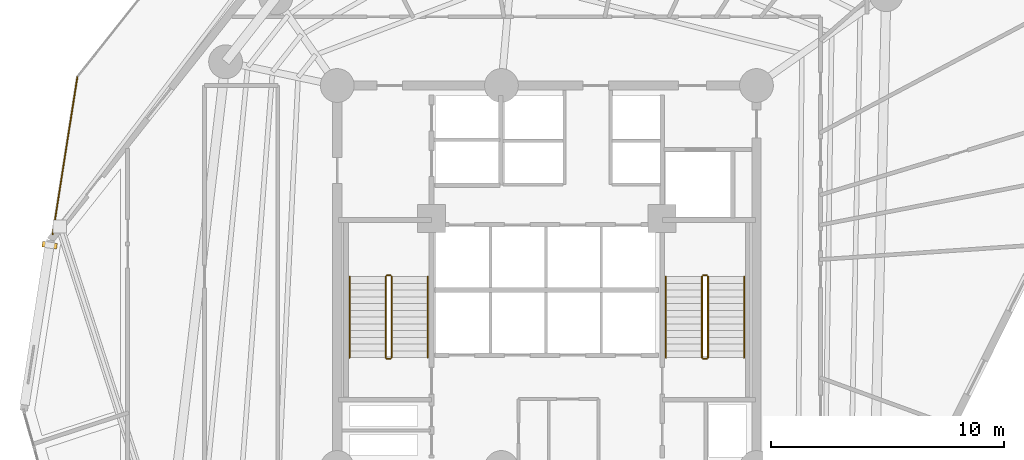
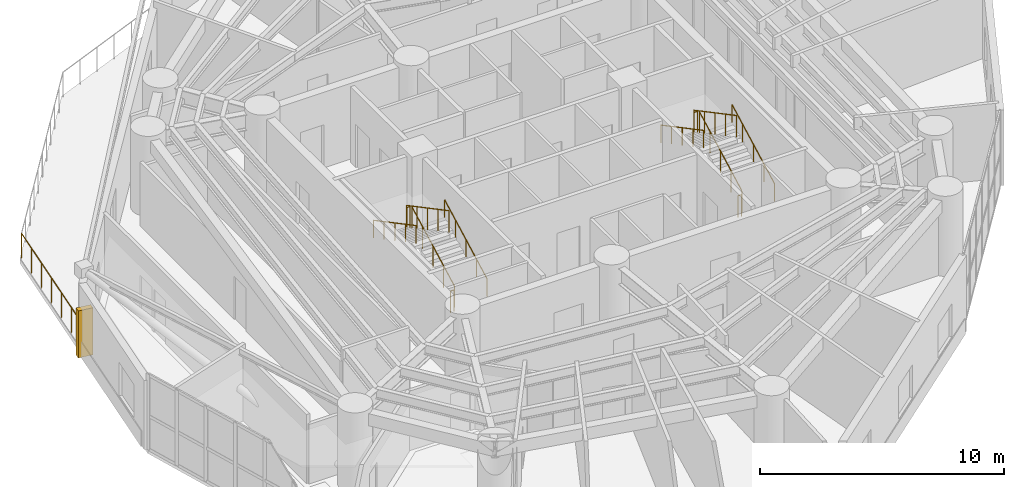
# One storey, part 13 of 14: 13 railings, 1 shading device.
"""IFC4 building model written with IfcOpenShell, lengths in metres."""

from ifc_helpers import new_model, si_unit, direction, frame, origin, origin_with_axes, origin_2d, place, context, subcontext, project, spatial, rectangle, circle, extrude, source, transform, mapped, material, layer, layer_set, type_object, element, save


model = new_model("IFC4")

# Units and contexts
model_context = context("Model", 3, precision=1e-05, world=origin(), true_north=direction((0.0, 1.0)))
body_context = subcontext(model_context, "Body", "Model", "MODEL_VIEW")
ifc_project = project(units=[si_unit("LENGTHUNIT", "METRE"), si_unit("AREAUNIT", "SQUARE_METRE"), si_unit("VOLUMEUNIT", "CUBIC_METRE"), si_unit("PLANEANGLEUNIT", "RADIAN"), si_unit("MASSUNIT", "GRAM", prefix="KILO")], contexts=[model_context])

# Site, building, storey
site_placement = place(None, origin())
site = spatial("IfcSite", under=ifc_project, at=site_placement, CompositionType="ELEMENT")
building_placement = place(site_placement, origin())
building = spatial("IfcBuilding", under=site, at=building_placement, Name="Karkom Vertical University and Central Library", CompositionType="ELEMENT")
storey_placement = place(building_placement, frame((0.0, 0.0, 92.199951171875)))
storey = spatial("IfcBuildingStorey", under=building, at=storey_placement, Name="L24", CompositionType="ELEMENT", Elevation=92.199951171875)

# Railings
ifc_material_1 = material(Name="Architectural painted steel & laminated glass balustrade", Category="steel")
ifc_layer_1 = layer(ifc_material_1, 0.090087890625)
ifc_layer_set_1 = layer_set([ifc_layer_1], Name="Architectural painted steel & laminated glass balustrade")
railing_type_1 = type_object("IfcRailingType", Name="ENV-RL-BAL1300", PredefinedType="BALUSTRADE", material=ifc_layer_set_1)
railing_1_placement = place(storey_placement, frame((7.287109375, 28.319091796875, 0.0)))
element("IfcRailing", 1, at=railing_1_placement, inside=storey, type_object=railing_type_1, Name="Level 24 Planted Terrace Safety Balustrade 03", PredefinedType="BALUSTRADE", context=body_context, shape_type="SweptSolid", body=[
    extrude(circle(Radius=0.02392578125, at=origin_2d()), frame((0.0, 0.0, 1.27587890625), z_axis=(0.154730304118, 0.987956746517, 0.0), x_axis=(-0.987956746517, 0.154730304118, 0.0)), (0.0, 0.0, 1.0), 6.827392578125),
    extrude(circle(Radius=0.02099609375, at=origin_2d()), origin(), (0.0, 0.0, 1.0), 1.251953125),
    extrude(circle(Radius=0.02099609375, at=origin_2d()), frame((0.176025390625, 1.124267578125, 0.0)), (0.0, 0.0, 1.0), 1.251953125),
    extrude(circle(Radius=0.02099609375, at=origin_2d()), frame((0.35205078125, 2.248291015625, 0.0)), (0.0, 0.0, 1.0), 1.251953125),
    extrude(circle(Radius=0.02099609375, at=origin_2d()), frame((0.5283203125, 3.37255859375, 0.0)), (0.0, 0.0, 1.0), 1.251953125),
    extrude(circle(Radius=0.02099609375, at=origin_2d()), frame((0.704345703125, 4.496826171875, 0.0)), (0.0, 0.0, 1.0), 1.251953125),
    extrude(circle(Radius=0.02099609375, at=origin_2d()), frame((0.88037109375, 5.620849609375, 0.0)), (0.0, 0.0, 1.0), 1.251953125),
    extrude(circle(Radius=0.02099609375, at=origin_2d()), frame((1.056396484375, 6.7451171875, 0.0)), (0.0, 0.0, 1.0), 1.251953125),
])
ifc_material_2 = material(Name="Painted galvanised steel balustrade", Category="steel")
ifc_layer_2 = layer(ifc_material_2, 0.06005859375)
ifc_layer_set_2 = layer_set([ifc_layer_2], Name="Painted galvanised steel balustrade")
railing_type_2 = type_object("IfcRailingType", Name="INT-RL-GUARD1100", PredefinedType="GUARDRAIL", material=ifc_layer_set_2)
railing_2_placement = place(storey_placement, frame((21.840087890625, 23.02001953125, 0.15380859375)))
element("IfcRailing", 2, at=railing_2_placement, inside=storey, type_object=railing_type_2, Name="Level 24 ST-1 stair guard 1", PredefinedType="GUARDRAIL", context=body_context, shape_type="SweptSolid", body=[
    extrude(circle(Radius=0.02392578125, at=origin_2d()), frame((0.0, 0.0, 1.076171875), z_axis=(0.0, 0.883383580571, 0.468650669025), x_axis=(-1.0, 0.0, 0.0)), (0.0, 0.0, 1.0), 3.939453125),
    extrude(circle(Radius=0.02099609375, at=origin_2d()), origin(), (0.0, 0.0, 1.0), 1.052001953125),
    extrude(circle(Radius=0.02099609375, at=origin_2d()), frame((0.0, 0.8701171875, 0.46142578125)), (0.0, 0.0, 1.0), 1.052001953125),
    extrude(circle(Radius=0.02099609375, at=origin_2d()), frame((0.0, 1.739990234375, 0.923095703125)), (0.0, 0.0, 1.0), 1.052001953125),
    extrude(circle(Radius=0.02099609375, at=origin_2d()), frame((0.0, 2.60986328125, 1.384765625)), (0.0, 0.0, 1.0), 1.052001953125),
    extrude(circle(Radius=0.02099609375, at=origin_2d()), frame((0.0, 3.47998046875, 1.84619140625)), (0.0, 0.0, 1.0), 1.052001953125),
])
railing_3_placement = place(storey_placement, frame((21.7900390625, 26.550048828125, 2.0)))
element("IfcRailing", 3, at=railing_3_placement, inside=storey, type_object=railing_type_2, Name="Level 24 ST-1 stair guard 2", PredefinedType="GUARDRAIL", context=body_context, shape_type="SweptSolid", body=[
    extrude(circle(Radius=0.02392578125, at=origin_2d()), frame((0.0, 0.0, 1.076171875), z_axis=(-1.0, 0.0, 0.0), x_axis=(0.0, -1.0, 0.0)), (0.0, 0.0, 1.0), 0.16015625),
    extrude(circle(Radius=0.02099609375, at=origin_2d()), origin(), (0.0, 0.0, 1.0), 1.052001953125),
    extrude(circle(Radius=0.02099609375, at=origin_2d()), frame((-0.16015625, 0.0, 0.0)), (0.0, 0.0, 1.0), 1.052001953125),
])
railing_4_placement = place(storey_placement, frame((21.580078125, 26.5, 2.15380859375)))
element("IfcRailing", 4, at=railing_4_placement, inside=storey, type_object=railing_type_2, Name="Level 24 ST-1 stair guard 3", PredefinedType="GUARDRAIL", context=body_context, shape_type="SweptSolid", body=[
    extrude(circle(Radius=0.02392578125, at=origin_2d()), frame((0.0, 0.0, 1.076171875), z_axis=(0.0, -0.883383580571, 0.468650669025), x_axis=(1.0, 0.0, 0.0)), (0.0, 0.0, 1.0), 3.939453125),
    extrude(circle(Radius=0.02099609375, at=origin_2d()), origin(), (0.0, 0.0, 1.0), 1.052001953125),
    extrude(circle(Radius=0.02099609375, at=origin_2d()), frame((0.0, -0.8701171875, 0.46142578125)), (0.0, 0.0, 1.0), 1.052001953125),
    extrude(circle(Radius=0.02099609375, at=origin_2d()), frame((0.0, -1.739990234375, 0.923095703125)), (0.0, 0.0, 1.0), 1.052001953125),
    extrude(circle(Radius=0.02099609375, at=origin_2d()), frame((0.0, -2.60986328125, 1.384765625)), (0.0, 0.0, 1.0), 1.052001953125),
    extrude(circle(Radius=0.02099609375, at=origin_2d()), frame((0.0, -3.47998046875, 1.84619140625)), (0.0, 0.0, 1.0), 1.052001953125),
])
railing_5_placement = place(storey_placement, frame((21.7900390625, 22.969970703125, 0.0)))
element("IfcRailing", 5, at=railing_5_placement, inside=storey, type_object=railing_type_2, Name="Level 24 ST-1 stair guard 4", PredefinedType="GUARDRAIL", context=body_context, shape_type="SweptSolid", body=[
    extrude(circle(Radius=0.02392578125, at=origin_2d()), frame((0.0, 0.0, 1.076171875), z_axis=(-1.0, 0.0, 0.0), x_axis=(0.0, -1.0, 0.0)), (0.0, 0.0, 1.0), 0.16015625),
    extrude(circle(Radius=0.02099609375, at=origin_2d()), origin(), (0.0, 0.0, 1.0), 1.052001953125),
    extrude(circle(Radius=0.02099609375, at=origin_2d()), frame((-0.16015625, 0.0, 0.0)), (0.0, 0.0, 1.0), 1.052001953125),
])
railing_6_placement = place(storey_placement, frame((35.419921875, 23.02001953125, 0.15380859375)))
element("IfcRailing", 6, at=railing_6_placement, inside=storey, type_object=railing_type_2, Name="Level 24 ST-2 stair guard 1", PredefinedType="GUARDRAIL", context=body_context, shape_type="SweptSolid", body=[
    extrude(circle(Radius=0.02392578125, at=origin_2d()), frame((0.0, 0.0, 1.076171875), z_axis=(0.0, 0.883383580571, 0.468650669025), x_axis=(-1.0, 0.0, 0.0)), (0.0, 0.0, 1.0), 3.939453125),
    extrude(circle(Radius=0.02099609375, at=origin_2d()), origin(), (0.0, 0.0, 1.0), 1.052001953125),
    extrude(circle(Radius=0.02099609375, at=origin_2d()), frame((0.0, 0.8701171875, 0.46142578125)), (0.0, 0.0, 1.0), 1.052001953125),
    extrude(circle(Radius=0.02099609375, at=origin_2d()), frame((0.0, 1.739990234375, 0.923095703125)), (0.0, 0.0, 1.0), 1.052001953125),
    extrude(circle(Radius=0.02099609375, at=origin_2d()), frame((0.0, 2.60986328125, 1.384765625)), (0.0, 0.0, 1.0), 1.052001953125),
    extrude(circle(Radius=0.02099609375, at=origin_2d()), frame((0.0, 3.47998046875, 1.84619140625)), (0.0, 0.0, 1.0), 1.052001953125),
])
railing_7_placement = place(storey_placement, frame((35.3701171875, 26.550048828125, 2.0)))
element("IfcRailing", 7, at=railing_7_placement, inside=storey, type_object=railing_type_2, Name="Level 24 ST-2 stair guard 2", PredefinedType="GUARDRAIL", context=body_context, shape_type="SweptSolid", body=[
    extrude(circle(Radius=0.02392578125, at=origin_2d()), frame((0.0, 0.0, 1.076171875), z_axis=(-1.0, 0.0, 0.0), x_axis=(0.0, -1.0, 0.0)), (0.0, 0.0, 1.0), 0.16015625),
    extrude(circle(Radius=0.02099609375, at=origin_2d()), origin(), (0.0, 0.0, 1.0), 1.052001953125),
    extrude(circle(Radius=0.02099609375, at=origin_2d()), frame((-0.16015625, 0.0, 0.0)), (0.0, 0.0, 1.0), 1.052001953125),
])
railing_8_placement = place(storey_placement, frame((35.159912109375, 26.5, 2.15380859375)))
element("IfcRailing", 8, at=railing_8_placement, inside=storey, type_object=railing_type_2, Name="Level 24 ST-2 stair guard 3", PredefinedType="GUARDRAIL", context=body_context, shape_type="SweptSolid", body=[
    extrude(circle(Radius=0.02392578125, at=origin_2d()), frame((0.0, 0.0, 1.076171875), z_axis=(0.0, -0.883383580571, 0.468650669025), x_axis=(1.0, 0.0, 0.0)), (0.0, 0.0, 1.0), 3.939453125),
    extrude(circle(Radius=0.02099609375, at=origin_2d()), origin(), (0.0, 0.0, 1.0), 1.052001953125),
    extrude(circle(Radius=0.02099609375, at=origin_2d()), frame((0.0, -0.8701171875, 0.46142578125)), (0.0, 0.0, 1.0), 1.052001953125),
    extrude(circle(Radius=0.02099609375, at=origin_2d()), frame((0.0, -1.739990234375, 0.923095703125)), (0.0, 0.0, 1.0), 1.052001953125),
    extrude(circle(Radius=0.02099609375, at=origin_2d()), frame((0.0, -2.60986328125, 1.384765625)), (0.0, 0.0, 1.0), 1.052001953125),
    extrude(circle(Radius=0.02099609375, at=origin_2d()), frame((0.0, -3.47998046875, 1.84619140625)), (0.0, 0.0, 1.0), 1.052001953125),
])
railing_9_placement = place(storey_placement, frame((35.3701171875, 22.969970703125, 0.0)))
element("IfcRailing", 9, at=railing_9_placement, inside=storey, type_object=railing_type_2, Name="Level 24 ST-2 stair guard 4", PredefinedType="GUARDRAIL", context=body_context, shape_type="SweptSolid", body=[
    extrude(circle(Radius=0.02392578125, at=origin_2d()), frame((0.0, 0.0, 1.076171875), z_axis=(-1.0, 0.0, 0.0), x_axis=(0.0, -1.0, 0.0)), (0.0, 0.0, 1.0), 0.16015625),
    extrude(circle(Radius=0.02099609375, at=origin_2d()), origin(), (0.0, 0.0, 1.0), 1.052001953125),
    extrude(circle(Radius=0.02099609375, at=origin_2d()), frame((-0.16015625, 0.0, 0.0)), (0.0, 0.0, 1.0), 1.052001953125),
])
ifc_material_3 = material(Name="Brushed stainless-steel tubular handrail", Category="steel")
ifc_layer_3 = layer(ifc_material_3, 0.048095703125)
ifc_layer_set_3 = layer_set([ifc_layer_3], Name="Brushed stainless-steel tubular handrail")
railing_type_3 = type_object("IfcRailingType", Name="INT-RL-HAND920", PredefinedType="HANDRAIL", material=ifc_layer_set_3)
railing_10_placement = place(storey_placement, frame((23.389892578125, 23.02001953125, 0.15380859375)))
element("IfcRailing", 10, at=railing_10_placement, inside=storey, type_object=railing_type_3, Name="Level 24 ST-1 stair handrail 1", PredefinedType="HANDRAIL", context=body_context, shape_type="SweptSolid", body=[
    extrude(circle(Radius=0.02392578125, at=origin_2d()), frame((0.0, 0.0, 0.8759765625), z_axis=(0.0, 0.883383580571, 0.468650669025), x_axis=(-1.0, 0.0, 0.0)), (0.0, 0.0, 1.0), 3.939453125),
    extrude(circle(Radius=0.02099609375, at=origin_2d()), origin(), (0.0, 0.0, 1.0), 0.851806640625),
    extrude(circle(Radius=0.02099609375, at=origin_2d()), frame((0.0, 0.8701171875, 0.46142578125)), (0.0, 0.0, 1.0), 0.851806640625),
    extrude(circle(Radius=0.02099609375, at=origin_2d()), frame((0.0, 1.739990234375, 0.923095703125)), (0.0, 0.0, 1.0), 0.851806640625),
    extrude(circle(Radius=0.02099609375, at=origin_2d()), frame((0.0, 2.60986328125, 1.384765625)), (0.0, 0.0, 1.0), 0.851806640625),
    extrude(circle(Radius=0.02099609375, at=origin_2d()), frame((0.0, 3.47998046875, 1.84619140625)), (0.0, 0.0, 1.0), 0.851806640625),
])
railing_11_placement = place(storey_placement, frame((20.030029296875, 26.5, 2.15380859375)))
element("IfcRailing", 11, at=railing_11_placement, inside=storey, type_object=railing_type_3, Name="Level 24 ST-1 stair handrail 2", PredefinedType="HANDRAIL", context=body_context, shape_type="SweptSolid", body=[
    extrude(circle(Radius=0.02392578125, at=origin_2d()), frame((0.0, 0.0, 0.8759765625), z_axis=(0.0, -0.883383580571, 0.468650669025), x_axis=(1.0, 0.0, 0.0)), (0.0, 0.0, 1.0), 3.939453125),
    extrude(circle(Radius=0.02099609375, at=origin_2d()), origin(), (0.0, 0.0, 1.0), 0.851806640625),
    extrude(circle(Radius=0.02099609375, at=origin_2d()), frame((0.0, -0.8701171875, 0.46142578125)), (0.0, 0.0, 1.0), 0.851806640625),
    extrude(circle(Radius=0.02099609375, at=origin_2d()), frame((0.0, -1.739990234375, 0.923095703125)), (0.0, 0.0, 1.0), 0.851806640625),
    extrude(circle(Radius=0.02099609375, at=origin_2d()), frame((0.0, -2.60986328125, 1.384765625)), (0.0, 0.0, 1.0), 0.851806640625),
    extrude(circle(Radius=0.02099609375, at=origin_2d()), frame((0.0, -3.47998046875, 1.84619140625)), (0.0, 0.0, 1.0), 0.851806640625),
])
railing_12_placement = place(storey_placement, frame((36.969970703125, 23.02001953125, 0.15380859375)))
element("IfcRailing", 12, at=railing_12_placement, inside=storey, type_object=railing_type_3, Name="Level 24 ST-2 stair handrail 1", PredefinedType="HANDRAIL", context=body_context, shape_type="SweptSolid", body=[
    extrude(circle(Radius=0.02392578125, at=origin_2d()), frame((0.0, 0.0, 0.8759765625), z_axis=(0.0, 0.883383580571, 0.468650669025), x_axis=(-1.0, 0.0, 0.0)), (0.0, 0.0, 1.0), 3.939453125),
    extrude(circle(Radius=0.02099609375, at=origin_2d()), origin(), (0.0, 0.0, 1.0), 0.851806640625),
    extrude(circle(Radius=0.02099609375, at=origin_2d()), frame((0.0, 0.8701171875, 0.46142578125)), (0.0, 0.0, 1.0), 0.851806640625),
    extrude(circle(Radius=0.02099609375, at=origin_2d()), frame((0.0, 1.739990234375, 0.923095703125)), (0.0, 0.0, 1.0), 0.851806640625),
    extrude(circle(Radius=0.02099609375, at=origin_2d()), frame((0.0, 2.60986328125, 1.384765625)), (0.0, 0.0, 1.0), 0.851806640625),
    extrude(circle(Radius=0.02099609375, at=origin_2d()), frame((0.0, 3.47998046875, 1.84619140625)), (0.0, 0.0, 1.0), 0.851806640625),
])
railing_13_placement = place(storey_placement, frame((33.610107421875, 26.5, 2.15380859375)))
element("IfcRailing", 13, at=railing_13_placement, inside=storey, type_object=railing_type_3, Name="Level 24 ST-2 stair handrail 2", PredefinedType="HANDRAIL", context=body_context, shape_type="SweptSolid", body=[
    extrude(circle(Radius=0.02392578125, at=origin_2d()), frame((0.0, 0.0, 0.8759765625), z_axis=(0.0, -0.883383580571, 0.468650669025), x_axis=(1.0, 0.0, 0.0)), (0.0, 0.0, 1.0), 3.939453125),
    extrude(circle(Radius=0.02099609375, at=origin_2d()), origin(), (0.0, 0.0, 1.0), 0.851806640625),
    extrude(circle(Radius=0.02099609375, at=origin_2d()), frame((0.0, -0.8701171875, 0.46142578125)), (0.0, 0.0, 1.0), 0.851806640625),
    extrude(circle(Radius=0.02099609375, at=origin_2d()), frame((0.0, -1.739990234375, 0.923095703125)), (0.0, 0.0, 1.0), 0.851806640625),
    extrude(circle(Radius=0.02099609375, at=origin_2d()), frame((0.0, -2.60986328125, 1.384765625)), (0.0, 0.0, 1.0), 0.851806640625),
    extrude(circle(Radius=0.02099609375, at=origin_2d()), frame((0.0, -3.47998046875, 1.84619140625)), (0.0, 0.0, 1.0), 0.851806640625),
])

# Shading device
ifc_material_4 = material(Name="Terracotta-clad precast concrete sun-breaker fin C45/55", Category="masonry")
shading_device_type = type_object("IfcShadingDeviceType", Name="ENV-SHD-BRISE", PredefinedType="USERDEFINED", material=ifc_material_4)
shared_shape = source(origin_with_axes(), body_context, "Body", "SweptSolid", [
    extrude(rectangle(XDim=0.239990234375, YDim=0.639892578125, at=origin_2d()), origin(), (0.0, 0.0, 1.0), 2.35009765625),
])
shading_device_placement = place(storey_placement, frame((7.152099609375, 27.845703125, 0.0), z_axis=(0.0, 0.0, 1.0), x_axis=(-0.154710386299, -0.987959865769, 0.0)))
element("IfcShadingDevice", 14, at=shading_device_placement, inside=storey, type_object=shading_device_type, Name="Level 24 Brutalist Brise-Soleil Fin 01", ObjectType="BRISE SOLEIL", PredefinedType="USERDEFINED", context=body_context, shape_type="MappedRepresentation", body=[
    mapped(shared_shape, transform((0.0, 0.0, 0.0), scale=1.0)),
])

save(model, "model.ifc")
